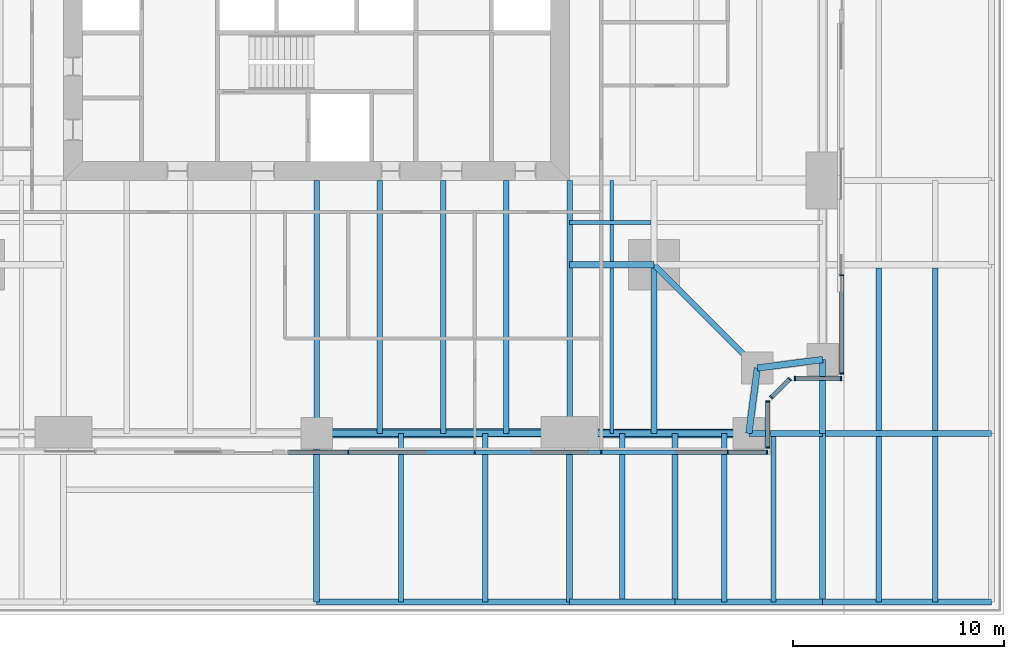
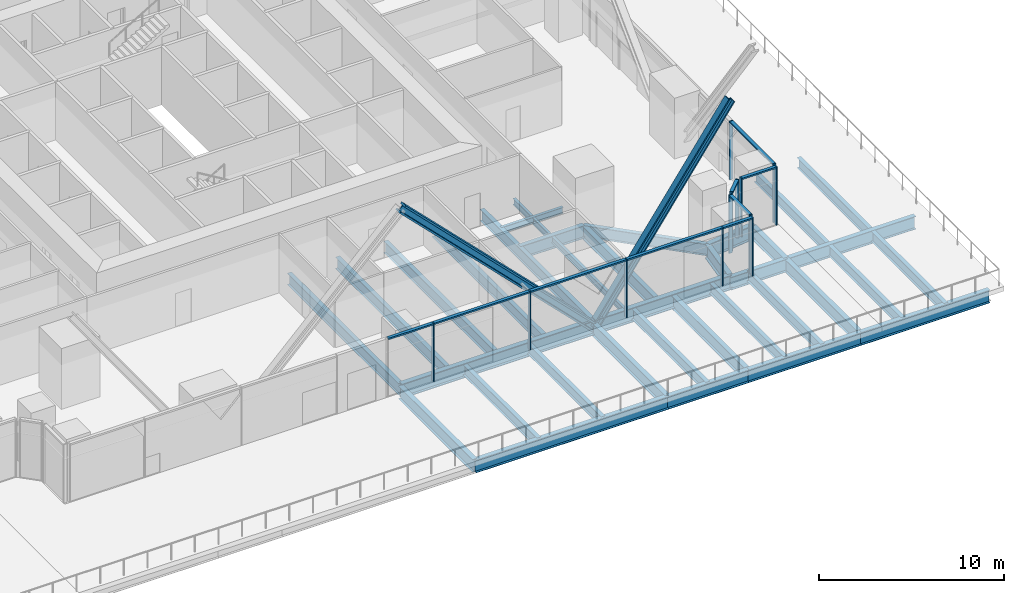
# One storey, part 4 of 21: 36 beams, 24 members, 5 elements without a shape of their own.
"""IFC4 building model written with IfcOpenShell, lengths in metres."""

from ifc_helpers import new_model, si_unit, direction, frame, origin, origin_2d, place, context, subcontext, project, spatial, rectangle, i_section, extrude, material, material_profile, profile_set, type_object, element, aggregate, save


model = new_model("IFC4")

# Units and contexts
model_context = context("Model", 3, precision=1e-05, world=origin(), true_north=direction((0.0, 1.0)))
body_context = subcontext(model_context, "Body", "Model", "MODEL_VIEW")
ifc_project = project(units=[si_unit("LENGTHUNIT", "METRE"), si_unit("AREAUNIT", "SQUARE_METRE"), si_unit("VOLUMEUNIT", "CUBIC_METRE"), si_unit("PLANEANGLEUNIT", "RADIAN"), si_unit("MASSUNIT", "GRAM", prefix="KILO")], contexts=[model_context])

# Site, building, storey
site_placement = place(None, origin())
site = spatial("IfcSite", under=ifc_project, at=site_placement, CompositionType="ELEMENT")
building_placement = place(site_placement, origin())
building = spatial("IfcBuilding", under=site, at=building_placement, Name="Fenwick Lantern Interchange", CompositionType="ELEMENT")
storey_placement = place(building_placement, frame((0.0, 0.0, 31.0)))
storey = spatial("IfcBuildingStorey", under=building, at=storey_placement, Name="L06", CompositionType="ELEMENT", Elevation=31.0)

# Beams
ifc_material_1 = material(Name="Steel ASTM A992 Grade 50", Category="steel")
ifc_material_profile_1 = material_profile(ifc_material_1, i_section(OverallWidth=0.309814453125, OverallDepth=0.949951171875, WebThickness=0.0244140625, FlangeThickness=0.0439453125, at=origin_2d()), Name="W36X256")
ifc_profile_set_1 = profile_set([ifc_material_profile_1], Name="Steel ASTM A992 Grade 50")
beam_type_1 = type_object("IfcBeamType", Name="EDGE BEAM W36X256", PredefinedType="SPANDREL", material=ifc_profile_set_1)
beam_1_placement = place(storey_placement, frame((25.0, 1.0, -0.625), z_axis=(1.0, 0.0, 0.0), x_axis=(0.0, 1.0, 0.0)))
element("IfcBeam", 1, at=beam_1_placement, inside=storey, type_object=beam_type_1, Name="L06/FR/S/EB3", PredefinedType="SPANDREL", context=body_context, shape_type="SweptSolid", body=[
    extrude(i_section(OverallWidth=0.309814453125, OverallDepth=0.949951171875, WebThickness=0.0244140625, FlangeThickness=0.0439453125, at=origin_2d()), origin(), (0.0, 0.0, 1.0), 12.0),
])
beam_2_placement = place(storey_placement, frame((37.0, 1.0, -0.625), z_axis=(1.0, 0.0, 0.0), x_axis=(0.0, 1.0, 0.0)))
element("IfcBeam", 2, at=beam_2_placement, inside=storey, type_object=beam_type_1, Name="L06/FR/S/EB4", PredefinedType="SPANDREL", context=body_context, shape_type="SweptSolid", body=[
    extrude(i_section(OverallWidth=0.309814453125, OverallDepth=0.949951171875, WebThickness=0.0244140625, FlangeThickness=0.0439453125, at=origin_2d()), origin(), (0.0, 0.0, 1.0), 8.5),
])
for number, where, z_axis, x_axis, name in (
    (3, (45.5, 1.0, -0.625), (0.127936641807, 0.991782342897, 0.0), (-0.991782342897, 0.127936641807, 0.0), "L06/FR/S/EBR1"),
    (4, (45.89990234375, 4.10009765625, -0.625), (0.991782342897, 0.127936641807, 0.0), (-0.127936641807, 0.991782342897, 0.0), "L06/FR/S/EBR2"),
):
    element("IfcBeam", number, at=place(storey_placement, frame(where, z_axis=z_axis, x_axis=x_axis)), inside=storey, type_object=beam_type_1, Name=name, PredefinedType="SPANDREL", context=body_context, shape_type="SweptSolid", body=[
        extrude(i_section(OverallWidth=0.309814453125, OverallDepth=0.949951171875, WebThickness=0.0244140625, FlangeThickness=0.0439453125, at=origin_2d()), origin(), (0.0, 0.0, 1.0), 3.125732421875),
    ])

# Members
ifc_material_profile_2 = material_profile(ifc_material_1, i_section(OverallWidth=0.424072265625, OverallDepth=0.47509765625, WebThickness=0.0478515625, FlangeThickness=0.0771484375, at=origin_2d()), Name="W14X426")
ifc_profile_set_2 = profile_set([ifc_material_profile_2], Name="Steel ASTM A992 Grade 50")
member_type_1 = type_object("IfcMemberType", Name="FACADE BRACE W14X426", PredefinedType="BRACE", material=ifc_profile_set_2)
member_1_placement = place(storey_placement, frame((37.0, 1.0, -0.625), z_axis=(0.577407021852, 0.0, 0.816456447776), x_axis=(0.0, 1.0, 0.0)))
element("IfcMember", 5, at=member_1_placement, inside=storey, type_object=member_type_1, Name="L06/FB/S/BE", PredefinedType="BRACE", context=body_context, shape_type="SweptSolid", body=[
    extrude(i_section(OverallWidth=0.424072265625, OverallDepth=0.47509765625, WebThickness=0.0478515625, FlangeThickness=0.0771484375, at=origin_2d()), origin(), (0.0, 0.0, 1.0), 14.720947265625),
])
ifc_material_profile_3 = material_profile(ifc_material_1, i_section(OverallWidth=0.44189453125, OverallDepth=0.53076171875, WebThickness=0.06591796875, FlangeThickness=0.105712890625, at=origin_2d()), Name="W14X605")
ifc_profile_set_3 = profile_set([ifc_material_profile_3], Name="Steel ASTM A992 Grade 50")
member_type_2 = type_object("IfcMemberType", Name="FACADE BRACE W14X605", PredefinedType="BRACE", material=ifc_profile_set_3)
member_2_placement = place(storey_placement, frame((37.0, 1.0, -0.625), z_axis=(-0.706545945103, 0.0, 0.707667172799), x_axis=(0.0, -1.0, 0.0)))
element("IfcMember", 6, at=member_2_placement, inside=storey, type_object=member_type_2, Name="L06/FB/S/B", PredefinedType="BRACE", context=body_context, shape_type="SweptSolid", body=[
    extrude(i_section(OverallWidth=0.44189453125, OverallDepth=0.53076171875, WebThickness=0.06591796875, FlangeThickness=0.105712890625, at=origin_2d()), origin(), (0.0, 0.0, 1.0), 16.984130859375),
])

# Beams
ifc_material_profile_4 = material_profile(ifc_material_1, i_section(OverallWidth=0.2666015625, OverallDepth=0.7568359375, WebThickness=0.013916015625, FlangeThickness=0.019287109375, at=origin_2d()), Name="W30X108")
ifc_profile_set_4 = profile_set([ifc_material_profile_4], Name="Steel ASTM A992 Grade 50")
beam_type_2 = type_object("IfcBeamType", Name="FLOOR BEAM W30X108", PredefinedType="BEAM", material=ifc_profile_set_4)
for number, where, z_axis, x_axis, name in (
    (7, (28.0, 1.0, -0.528564453125), (0.0, 1.0, 0.0), (-1.0, 0.0, 0.0), "L06/FR/S/R06"),
    (8, (31.0, 1.0, -0.528564453125), (0.0, 1.0, 0.0), (-1.0, 0.0, 0.0), "L06/FR/S/R07"),
    (9, (34.0, 1.0, -0.528564453125), (0.0, 1.0, 0.0), (-1.0, 0.0, 0.0), "L06/FR/S/R08"),
):
    element("IfcBeam", number, at=place(storey_placement, frame(where, z_axis=z_axis, x_axis=x_axis)), inside=storey, type_object=beam_type_2, Name=name, PredefinedType="BEAM", context=body_context, shape_type="SweptSolid", body=[
        extrude(i_section(OverallWidth=0.2666015625, OverallDepth=0.7568359375, WebThickness=0.013916015625, FlangeThickness=0.019287109375, at=origin_2d()), origin(), (0.0, 0.0, 1.0), 12.0),
    ])
ifc_material_profile_5 = material_profile(ifc_material_1, i_section(OverallWidth=0.177734375, OverallDepth=0.406494140625, WebThickness=0.0078125, FlangeThickness=0.012939453125, at=origin_2d()), Name="W16X40")
ifc_profile_set_5 = profile_set([ifc_material_profile_5], Name="Steel ASTM A992 Grade 50")
beam_type_3 = type_object("IfcBeamType", Name="INFILL BEAM W16X40", PredefinedType="JOIST", material=ifc_profile_set_5)
beam_3_placement = place(storey_placement, frame((40.85400390625, 11.0, -0.353271484375), z_axis=(-1.0, 0.0, 0.0), x_axis=(0.0, -1.0, 0.0)))
element("IfcBeam", 10, at=beam_3_placement, inside=storey, type_object=beam_type_3, Name="L06/FR/E/J2", PredefinedType="JOIST", context=body_context, shape_type="SweptSolid", body=[
    extrude(i_section(OverallWidth=0.177734375, OverallDepth=0.406494140625, WebThickness=0.0078125, FlangeThickness=0.012939453125, at=origin_2d()), origin(), (0.0, 0.0, 1.0), 3.85400390625),
])
beam_4_placement = place(storey_placement, frame((39.0, 1.0, -0.353271484375), z_axis=(0.0, 1.0, 0.0), x_axis=(-1.0, 0.0, 0.0)))
element("IfcBeam", 11, at=beam_4_placement, inside=storey, type_object=beam_type_3, Name="L06/FR/E/J3", PredefinedType="JOIST", context=body_context, shape_type="SweptSolid", body=[
    extrude(i_section(OverallWidth=0.177734375, OverallDepth=0.406494140625, WebThickness=0.0078125, FlangeThickness=0.012939453125, at=origin_2d()), origin(), (0.0, 0.0, 1.0), 7.85400390625),
])
beam_5_placement = place(storey_placement, frame((39.0, 9.14599609375, -0.353271484375), z_axis=(0.0, 1.0, 0.0), x_axis=(-1.0, 0.0, 0.0)))
element("IfcBeam", 12, at=beam_5_placement, inside=storey, type_object=beam_type_3, Name="L06/FR/E/J4", PredefinedType="JOIST", context=body_context, shape_type="SweptSolid", body=[
    extrude(i_section(OverallWidth=0.177734375, OverallDepth=0.406494140625, WebThickness=0.0078125, FlangeThickness=0.012939453125, at=origin_2d()), origin(), (0.0, 0.0, 1.0), 1.76513671875),
])
beam_6_placement = place(storey_placement, frame((39.0, 11.0888671875, -0.353271484375), z_axis=(0.0, 1.0, 0.0), x_axis=(-1.0, 0.0, 0.0)))
element("IfcBeam", 13, at=beam_6_placement, inside=storey, type_object=beam_type_3, Name="L06/FR/E/J5", PredefinedType="JOIST", context=body_context, shape_type="SweptSolid", body=[
    extrude(i_section(OverallWidth=0.177734375, OverallDepth=0.406494140625, WebThickness=0.0078125, FlangeThickness=0.012939453125, at=origin_2d()), origin(), (0.0, 0.0, 1.0), 1.9111328125),
])
ifc_material_profile_6 = material_profile(ifc_material_1, i_section(OverallWidth=0.2919921875, OverallDepth=0.845703125, WebThickness=0.015380859375, FlangeThickness=0.0244140625, at=origin_2d()), Name="W33X141")
ifc_profile_set_6 = profile_set([ifc_material_profile_6], Name="Steel ASTM A992 Grade 50")
beam_type_4 = type_object("IfcBeamType", Name="MEGA COLUMN BEAM W33X141", PredefinedType="BEAM", material=ifc_profile_set_6)
beam_7_placement = place(storey_placement, frame((41.0, 9.0, -0.572998046875), z_axis=(0.0, -1.0, 0.0), x_axis=(1.0, 0.0, 0.0)))
element("IfcBeam", 14, at=beam_7_placement, inside=storey, type_object=beam_type_4, Name="L06/FR/E/MB2", PredefinedType="BEAM", context=body_context, shape_type="SweptSolid", body=[
    extrude(i_section(OverallWidth=0.2919921875, OverallDepth=0.845703125, WebThickness=0.015380859375, FlangeThickness=0.0244140625, at=origin_2d()), origin(), (0.0, 0.0, 1.0), 8.0),
])
beam_8_placement = place(storey_placement, frame((41.0, 9.0, -0.572998046875), z_axis=(-1.0, 0.0, 0.0), x_axis=(0.0, -1.0, 0.0)))
element("IfcBeam", 15, at=beam_8_placement, inside=storey, type_object=beam_type_4, Name="L06/FR/E/MB4", PredefinedType="BEAM", context=body_context, shape_type="SweptSolid", body=[
    extrude(i_section(OverallWidth=0.2919921875, OverallDepth=0.845703125, WebThickness=0.015380859375, FlangeThickness=0.0244140625, at=origin_2d()), origin(), (0.0, 0.0, 1.0), 4.0),
])
ifc_material_profile_7 = material_profile(ifc_material_1, i_section(OverallWidth=0.2666015625, OverallDepth=0.76953125, WebThickness=0.015625, FlangeThickness=0.025390625, at=origin_2d()), Name="W30X132")
ifc_profile_set_7 = profile_set([ifc_material_profile_7], Name="Steel ASTM A992 Grade 50")
beam_type_5 = type_object("IfcBeamType", Name="MOMENT-CONNECTED GIRDER W30X132", PredefinedType="BEAM", material=ifc_profile_set_7)
for number, where, z_axis, x_axis, name in (
    (16, (25.0, 1.0, -0.534912109375), (0.0, 1.0, 0.0), (-1.0, 0.0, 0.0), "L06/FR/S/R05"),
    (17, (37.0, 1.0, -0.534912109375), (0.0, 1.0, 0.0), (-1.0, 0.0, 0.0), "L06/FR/S/R09"),
):
    element("IfcBeam", number, at=place(storey_placement, frame(where, z_axis=z_axis, x_axis=x_axis)), inside=storey, type_object=beam_type_5, Name=name, PredefinedType="BEAM", context=body_context, shape_type="SweptSolid", body=[
        extrude(i_section(OverallWidth=0.2666015625, OverallDepth=0.76953125, WebThickness=0.015625, FlangeThickness=0.025390625, at=origin_2d()), origin(), (0.0, 0.0, 1.0), 12.0),
    ])
ifc_material_profile_8 = material_profile(ifc_material_1, i_section(OverallWidth=0.2919921875, OverallDepth=0.845703125, WebThickness=0.015380859375, FlangeThickness=0.0244140625, at=origin_2d()), Name="W33X141")
ifc_profile_set_8 = profile_set([ifc_material_profile_8], Name="Steel ASTM A992 Grade 50")
beam_type_6 = type_object("IfcBeamType", Name="MOMENT-CONNECTED PODIUM GIRDER W33X141", PredefinedType="BEAM", material=ifc_profile_set_8)
beam_9_placement = place(storey_placement, frame((25.0, -7.0, -0.722900390625), z_axis=(1.0, 0.0, 0.0), x_axis=(0.0, 1.0, 0.0)))
element("IfcBeam", 18, at=beam_9_placement, inside=storey, type_object=beam_type_6, Name="L06/PF/G005", PredefinedType="BEAM", context=body_context, shape_type="SweptSolid", body=[
    extrude(i_section(OverallWidth=0.2919921875, OverallDepth=0.845703125, WebThickness=0.015380859375, FlangeThickness=0.0244140625, at=origin_2d()), origin(), (0.0, 0.0, 1.0), 12.0),
])
beam_10_placement = place(storey_placement, frame((37.0, -7.0, -0.722900390625), z_axis=(1.0, 0.0, 0.0), x_axis=(0.0, 1.0, 0.0)))
element("IfcBeam", 19, at=beam_10_placement, inside=storey, type_object=beam_type_6, Name="L06/PF/G006", PredefinedType="BEAM", context=body_context, shape_type="SweptSolid", body=[
    extrude(i_section(OverallWidth=0.2919921875, OverallDepth=0.845703125, WebThickness=0.015380859375, FlangeThickness=0.0244140625, at=origin_2d()), origin(), (0.0, 0.0, 1.0), 5.0),
])
beam_11_placement = place(storey_placement, frame((42.0, -7.0, -0.722900390625), z_axis=(1.0, 0.0, 0.0), x_axis=(0.0, 1.0, 0.0)))
element("IfcBeam", 20, at=beam_11_placement, inside=storey, type_object=beam_type_6, Name="L06/PF/G007", PredefinedType="BEAM", context=body_context, shape_type="SweptSolid", body=[
    extrude(i_section(OverallWidth=0.2919921875, OverallDepth=0.845703125, WebThickness=0.015380859375, FlangeThickness=0.0244140625, at=origin_2d()), origin(), (0.0, 0.0, 1.0), 7.0),
])
beam_12_placement = place(storey_placement, frame((49.0, -7.0, -0.722900390625), z_axis=(1.0, 0.0, 0.0), x_axis=(0.0, 1.0, 0.0)))
element("IfcBeam", 21, at=beam_12_placement, inside=storey, type_object=beam_type_6, Name="L06/PF/G008", PredefinedType="BEAM", context=body_context, shape_type="SweptSolid", body=[
    extrude(i_section(OverallWidth=0.2919921875, OverallDepth=0.845703125, WebThickness=0.015380859375, FlangeThickness=0.0244140625, at=origin_2d()), origin(), (0.0, 0.0, 1.0), 8.0),
])
beam_13_placement = place(storey_placement, frame((45.5, 1.0, -0.722900390625), z_axis=(1.0, 0.0, 0.0), x_axis=(0.0, 1.0, 0.0)))
element("IfcBeam", 22, at=beam_13_placement, inside=storey, type_object=beam_type_6, Name="L06/PF/G011", PredefinedType="BEAM", context=body_context, shape_type="SweptSolid", body=[
    extrude(i_section(OverallWidth=0.2919921875, OverallDepth=0.845703125, WebThickness=0.015380859375, FlangeThickness=0.0244140625, at=origin_2d()), origin(), (0.0, 0.0, 1.0), 3.5),
])
for number, where, z_axis, x_axis, name in (
    (23, (49.0, 1.0, -0.722900390625), (1.0, 0.0, 0.0), (0.0, 1.0, 0.0), "L06/PF/G012"),
    (24, (25.0, -7.0, -0.722900390625), (0.0, 1.0, 0.0), (-1.0, 0.0, 0.0), "L06/PF/G063"),
    (25, (37.0, -7.0, -0.722900390625), (0.0, 1.0, 0.0), (-1.0, 0.0, 0.0), "L06/PF/G066"),
    (26, (42.0, -7.0, -0.722900390625), (0.0, 1.0, 0.0), (-1.0, 0.0, 0.0), "L06/PF/G069"),
    (27, (49.0, -7.0, -0.722900390625), (0.0, 1.0, 0.0), (-1.0, 0.0, 0.0), "L06/PF/G072"),
):
    element("IfcBeam", number, at=place(storey_placement, frame(where, z_axis=z_axis, x_axis=x_axis)), inside=storey, type_object=beam_type_6, Name=name, PredefinedType="BEAM", context=body_context, shape_type="SweptSolid", body=[
        extrude(i_section(OverallWidth=0.2919921875, OverallDepth=0.845703125, WebThickness=0.015380859375, FlangeThickness=0.0244140625, at=origin_2d()), origin(), (0.0, 0.0, 1.0), 8.0),
    ])
beam_14_placement = place(storey_placement, frame((49.0, 1.0, -0.722900390625), z_axis=(0.0, 1.0, 0.0), x_axis=(-1.0, 0.0, 0.0)))
element("IfcBeam", 28, at=beam_14_placement, inside=storey, type_object=beam_type_6, Name="L06/PF/G073", PredefinedType="BEAM", context=body_context, shape_type="SweptSolid", body=[
    extrude(i_section(OverallWidth=0.2919921875, OverallDepth=0.845703125, WebThickness=0.015380859375, FlangeThickness=0.0244140625, at=origin_2d()), origin(), (0.0, 0.0, 1.0), 3.5),
])
ifc_material_profile_9 = material_profile(ifc_material_1, i_section(OverallWidth=0.2666015625, OverallDepth=0.7568359375, WebThickness=0.013916015625, FlangeThickness=0.019287109375, at=origin_2d()), Name="W30X108")
ifc_profile_set_9 = profile_set([ifc_material_profile_9], Name="Steel ASTM A992 Grade 50")
beam_type_7 = type_object("IfcBeamType", Name="NOTCH BEAM W30X108", PredefinedType="BEAM", material=ifc_profile_set_9)
beam_15_placement = place(storey_placement, frame((41.0, 9.0, -0.528564453125), z_axis=(0.707106781187, -0.707106781187, 0.0), x_axis=(0.707106781187, 0.707106781187, 0.0)))
element("IfcBeam", 29, at=beam_15_placement, inside=storey, type_object=beam_type_7, Name="L06/FR/E/TG", PredefinedType="BEAM", context=body_context, shape_type="SweptSolid", body=[
    extrude(i_section(OverallWidth=0.2666015625, OverallDepth=0.7568359375, WebThickness=0.013916015625, FlangeThickness=0.019287109375, at=origin_2d()), origin(), (0.0, 0.0, 1.0), 6.929443359375),
])

# Curtain wall, members
ifc_material_2 = material(Name="Aluminium curtain wall frame", Category="aluminium")
curtain_wall_type = type_object("IfcCurtainWallType", Name="OFFICE CURTAIN WALL", PredefinedType="USERDEFINED", material=ifc_material_2)
curtain_wall_1_placement = place(storey_placement, origin())
curtain_wall_1 = element("IfcCurtainWall", 30, at=curtain_wall_1_placement, inside=storey, type_object=curtain_wall_type, Name="Office curtain wall 01B", ObjectType="OFFICE CURTAIN WALL", PredefinedType="USERDEFINED")
ifc_material_3 = material(Name="Aluminium extrusion", Category="aluminium")
ifc_material_profile_10 = material_profile(ifc_material_3, rectangle(XDim=0.199951171875, YDim=0.06494140625, at=origin_2d()), Name="OFFICE CURTAIN WALL MULLION 65 X 200")
ifc_profile_set_10 = profile_set([ifc_material_profile_10], Name="Aluminium extrusion")
member_type_3 = type_object("IfcMemberType", Name="OFFICE CURTAIN WALL MULLION 65 X 200", PredefinedType="MULLION", material=ifc_profile_set_10)
member_3_placement = place(storey_placement, frame((26.5, 0.10009765625, 0.0), z_axis=(0.0, 0.0, 1.0), x_axis=(0.0, 1.0, 0.0)))
member_3 = element("IfcMember", 31, at=member_3_placement, type_object=member_type_3, Name="L06/CW/01B/M01", PredefinedType="MULLION", context=body_context, shape_type="SweptSolid", body=[
    extrude(rectangle(XDim=0.199951171875, YDim=0.06494140625, at=origin_2d()), origin(), (0.0, 0.0, 1.0), 3.85009765625),
])
member_4_placement = place(storey_placement, frame((32.5, 0.10009765625, 0.0), z_axis=(0.0, 0.0, 1.0), x_axis=(0.0, 1.0, 0.0)))
member_4 = element("IfcMember", 32, at=member_4_placement, type_object=member_type_3, Name="L06/CW/01B/M02", PredefinedType="MULLION", context=body_context, shape_type="SweptSolid", body=[
    extrude(rectangle(XDim=0.199951171875, YDim=0.06494140625, at=origin_2d()), origin(), (0.0, 0.0, 1.0), 3.85009765625),
])
member_5_placement = place(storey_placement, frame((38.5, 0.10009765625, 0.0), z_axis=(0.0, 0.0, 1.0), x_axis=(0.0, 1.0, 0.0)))
member_5 = element("IfcMember", 33, at=member_5_placement, type_object=member_type_3, Name="L06/CW/01B/M03", PredefinedType="MULLION", context=body_context, shape_type="SweptSolid", body=[
    extrude(rectangle(XDim=0.199951171875, YDim=0.06494140625, at=origin_2d()), origin(), (0.0, 0.0, 1.0), 3.85009765625),
])
member_6_placement = place(storey_placement, frame((44.5, 0.10009765625, 0.0), z_axis=(0.0, 0.0, 1.0), x_axis=(0.0, 1.0, 0.0)))
member_6 = element("IfcMember", 34, at=member_6_placement, type_object=member_type_3, Name="L06/CW/01B/M04", PredefinedType="MULLION", context=body_context, shape_type="SweptSolid", body=[
    extrude(rectangle(XDim=0.199951171875, YDim=0.06494140625, at=origin_2d()), origin(), (0.0, 0.0, 1.0), 3.85009765625),
])
member_7_placement = place(storey_placement, frame((46.367431640625, 0.10009765625, 0.0), z_axis=(0.0, 0.0, 1.0), x_axis=(0.0, 1.0, 0.0)))
member_7 = element("IfcMember", 35, at=member_7_placement, type_object=member_type_3, Name="L06/CW/01B/M05", PredefinedType="MULLION", context=body_context, shape_type="SweptSolid", body=[
    extrude(rectangle(XDim=0.199951171875, YDim=0.06494140625, at=origin_2d()), origin(), (0.0, 0.0, 1.0), 3.85009765625),
])

curtain_wall_2_placement = place(storey_placement, origin())
curtain_wall_2 = element("IfcCurtainWall", 36, at=curtain_wall_2_placement, inside=storey, type_object=curtain_wall_type, Name="Office curtain wall 02", ObjectType="OFFICE CURTAIN WALL", PredefinedType="USERDEFINED")
member_8_placement = place(storey_placement, frame((46.39990234375, 0.33251953125, 0.0), z_axis=(0.0, 0.0, 1.0), x_axis=(-1.0, 0.0, 0.0)))
member_8 = element("IfcMember", 37, at=member_8_placement, type_object=member_type_3, Name="L06/CW/02/M00", PredefinedType="MULLION", context=body_context, shape_type="SweptSolid", body=[
    extrude(rectangle(XDim=0.199951171875, YDim=0.06494140625, at=origin_2d()), origin(), (0.0, 0.0, 1.0), 3.85009765625),
])
member_9_placement = place(storey_placement, frame((46.39990234375, 2.509033203125, 0.0), z_axis=(0.0, 0.0, 1.0), x_axis=(-1.0, 0.0, 0.0)))
member_9 = element("IfcMember", 38, at=member_9_placement, type_object=member_type_3, Name="L06/CW/02/M01", PredefinedType="MULLION", context=body_context, shape_type="SweptSolid", body=[
    extrude(rectangle(XDim=0.199951171875, YDim=0.06494140625, at=origin_2d()), origin(), (0.0, 0.0, 1.0), 3.85009765625),
])

curtain_wall_3_placement = place(storey_placement, origin())
curtain_wall_3 = element("IfcCurtainWall", 39, at=curtain_wall_3_placement, inside=storey, type_object=curtain_wall_type, Name="Office curtain wall 03", ObjectType="OFFICE CURTAIN WALL", PredefinedType="USERDEFINED")
member_10_placement = place(storey_placement, frame((46.564453125, 2.705810546875, 0.0), z_axis=(0.0, 0.0, 1.0), x_axis=(-0.707106781187, 0.707106781187, 0.0)))
member_10 = element("IfcMember", 40, at=member_10_placement, type_object=member_type_3, Name="L06/CW/03/M00", PredefinedType="MULLION", context=body_context, shape_type="SweptSolid", body=[
    extrude(rectangle(XDim=0.199951171875, YDim=0.06494140625, at=origin_2d()), origin(), (0.0, 0.0, 1.0), 3.85009765625),
])
member_11_placement = place(storey_placement, frame((47.435546875, 3.576904296875, 0.0), z_axis=(0.0, 0.0, 1.0), x_axis=(-0.707106781187, 0.707106781187, 0.0)))
member_11 = element("IfcMember", 41, at=member_11_placement, type_object=member_type_3, Name="L06/CW/03/M01", PredefinedType="MULLION", context=body_context, shape_type="SweptSolid", body=[
    extrude(rectangle(XDim=0.199951171875, YDim=0.06494140625, at=origin_2d()), origin(), (0.0, 0.0, 1.0), 3.85009765625),
])

curtain_wall_4_placement = place(storey_placement, origin())
curtain_wall_4 = element("IfcCurtainWall", 42, at=curtain_wall_4_placement, inside=storey, type_object=curtain_wall_type, Name="Office curtain wall 04", ObjectType="OFFICE CURTAIN WALL", PredefinedType="USERDEFINED")
member_12_placement = place(storey_placement, frame((47.691162109375, 3.60009765625, 0.0), z_axis=(0.0, 0.0, 1.0), x_axis=(0.0, 1.0, 0.0)))
member_12 = element("IfcMember", 43, at=member_12_placement, type_object=member_type_3, Name="L06/CW/04/M00", PredefinedType="MULLION", context=body_context, shape_type="SweptSolid", body=[
    extrude(rectangle(XDim=0.199951171875, YDim=0.06494140625, at=origin_2d()), origin(), (0.0, 0.0, 1.0), 3.85009765625),
])
member_13_placement = place(storey_placement, frame((49.867431640625, 3.60009765625, 0.0), z_axis=(0.0, 0.0, 1.0), x_axis=(0.0, 1.0, 0.0)))
member_13 = element("IfcMember", 44, at=member_13_placement, type_object=member_type_3, Name="L06/CW/04/M01", PredefinedType="MULLION", context=body_context, shape_type="SweptSolid", body=[
    extrude(rectangle(XDim=0.199951171875, YDim=0.06494140625, at=origin_2d()), origin(), (0.0, 0.0, 1.0), 3.85009765625),
])

curtain_wall_5_placement = place(storey_placement, origin())
curtain_wall_5 = element("IfcCurtainWall", 45, at=curtain_wall_5_placement, inside=storey, type_object=curtain_wall_type, Name="Office curtain wall 05A", ObjectType="OFFICE CURTAIN WALL", PredefinedType="USERDEFINED")
member_14_placement = place(storey_placement, frame((49.89990234375, 3.83251953125, 0.0), z_axis=(0.0, 0.0, 1.0), x_axis=(-1.0, 0.0, 0.0)))
member_14 = element("IfcMember", 46, at=member_14_placement, type_object=member_type_3, Name="L06/CW/05A/M00", PredefinedType="MULLION", context=body_context, shape_type="SweptSolid", body=[
    extrude(rectangle(XDim=0.199951171875, YDim=0.06494140625, at=origin_2d()), origin(), (0.0, 0.0, 1.0), 3.85009765625),
])
member_15_placement = place(storey_placement, frame((49.89990234375, 8.5, 0.0), z_axis=(0.0, 0.0, 1.0), x_axis=(-1.0, 0.0, 0.0)))
member_15 = element("IfcMember", 47, at=member_15_placement, type_object=member_type_3, Name="L06/CW/05A/M01", PredefinedType="MULLION", context=body_context, shape_type="SweptSolid", body=[
    extrude(rectangle(XDim=0.199951171875, YDim=0.06494140625, at=origin_2d()), origin(), (0.0, 0.0, 1.0), 3.85009765625),
])

# Member
ifc_material_profile_11 = material_profile(ifc_material_3, rectangle(XDim=0.199951171875, YDim=0.10009765625, at=origin_2d()), Name="OFFICE CURTAIN WALL TRANSOM 100 X 200")
ifc_profile_set_11 = profile_set([ifc_material_profile_11], Name="Aluminium extrusion")
member_type_4 = type_object("IfcMemberType", Name="OFFICE CURTAIN WALL TRANSOM 100 X 200", PredefinedType="MULLION", material=ifc_profile_set_11)
member_16_placement = place(storey_placement, frame((23.6650390625, 0.10009765625, 3.800048828125), z_axis=(1.0, 0.0, 0.0), x_axis=(0.0, 1.0, 0.0)))
member_16 = element("IfcMember", 48, at=member_16_placement, type_object=member_type_4, Name="L06/CW/01B/T00", PredefinedType="MULLION", context=body_context, shape_type="SweptSolid", body=[
    extrude(rectangle(XDim=0.199951171875, YDim=0.10009765625, at=origin_2d()), origin(), (0.0, 0.0, 1.0), 2.802490234375),
])

member_17_placement = place(storey_placement, frame((26.532470703125, 0.10009765625, 3.800048828125), z_axis=(1.0, 0.0, 0.0), x_axis=(0.0, 1.0, 0.0)))
member_17 = element("IfcMember", 49, at=member_17_placement, type_object=member_type_4, Name="L06/CW/01B/T01", PredefinedType="MULLION", context=body_context, shape_type="SweptSolid", body=[
    extrude(rectangle(XDim=0.199951171875, YDim=0.10009765625, at=origin_2d()), origin(), (0.0, 0.0, 1.0), 5.93505859375),
])

member_18_placement = place(storey_placement, frame((32.532470703125, 0.10009765625, 3.800048828125), z_axis=(1.0, 0.0, 0.0), x_axis=(0.0, 1.0, 0.0)))
member_18 = element("IfcMember", 50, at=member_18_placement, type_object=member_type_4, Name="L06/CW/01B/T02", PredefinedType="MULLION", context=body_context, shape_type="SweptSolid", body=[
    extrude(rectangle(XDim=0.199951171875, YDim=0.10009765625, at=origin_2d()), origin(), (0.0, 0.0, 1.0), 5.93505859375),
])

member_19_placement = place(storey_placement, frame((38.532470703125, 0.10009765625, 3.800048828125), z_axis=(1.0, 0.0, 0.0), x_axis=(0.0, 1.0, 0.0)))
member_19 = element("IfcMember", 51, at=member_19_placement, type_object=member_type_4, Name="L06/CW/01B/T03", PredefinedType="MULLION", context=body_context, shape_type="SweptSolid", body=[
    extrude(rectangle(XDim=0.199951171875, YDim=0.10009765625, at=origin_2d()), origin(), (0.0, 0.0, 1.0), 5.93505859375),
])

member_20_placement = place(storey_placement, frame((44.532470703125, 0.10009765625, 3.800048828125), z_axis=(1.0, 0.0, 0.0), x_axis=(0.0, 1.0, 0.0)))
member_20 = element("IfcMember", 52, at=member_20_placement, type_object=member_type_4, Name="L06/CW/01B/T04", PredefinedType="MULLION", context=body_context, shape_type="SweptSolid", body=[
    extrude(rectangle(XDim=0.199951171875, YDim=0.10009765625, at=origin_2d()), origin(), (0.0, 0.0, 1.0), 1.802490234375),
])

aggregate(curtain_wall_1, [member_3, member_4, member_5, member_6, member_7, member_16, member_17, member_18, member_19, member_20])

member_21_placement = place(storey_placement, frame((46.39990234375, 0.364990234375, 3.800048828125), z_axis=(0.0, 1.0, 0.0), x_axis=(-1.0, 0.0, 0.0)))
member_21 = element("IfcMember", 53, at=member_21_placement, type_object=member_type_4, Name="L06/CW/02/T00", PredefinedType="MULLION", context=body_context, shape_type="SweptSolid", body=[
    extrude(rectangle(XDim=0.199951171875, YDim=0.10009765625, at=origin_2d()), origin(), (0.0, 0.0, 1.0), 2.111328125),
])

aggregate(curtain_wall_2, [member_8, member_9, member_21])

member_22_placement = place(storey_placement, frame((46.58740234375, 2.728759765625, 3.800048828125), z_axis=(0.707106781187, 0.707106781187, 0.0), x_axis=(-0.707106781187, 0.707106781187, 0.0)))
member_22 = element("IfcMember", 54, at=member_22_placement, type_object=member_type_4, Name="L06/CW/03/T00", PredefinedType="MULLION", context=body_context, shape_type="SweptSolid", body=[
    extrude(rectangle(XDim=0.199951171875, YDim=0.10009765625, at=origin_2d()), origin(), (0.0, 0.0, 1.0), 1.1669921875),
])

aggregate(curtain_wall_3, [member_10, member_11, member_22])

member_23_placement = place(storey_placement, frame((47.7236328125, 3.60009765625, 3.800048828125), z_axis=(1.0, 0.0, 0.0), x_axis=(0.0, 1.0, 0.0)))
member_23 = element("IfcMember", 55, at=member_23_placement, type_object=member_type_4, Name="L06/CW/04/T00", PredefinedType="MULLION", context=body_context, shape_type="SweptSolid", body=[
    extrude(rectangle(XDim=0.199951171875, YDim=0.10009765625, at=origin_2d()), origin(), (0.0, 0.0, 1.0), 2.111328125),
])

aggregate(curtain_wall_4, [member_12, member_13, member_23])

member_24_placement = place(storey_placement, frame((49.89990234375, 3.864990234375, 3.800048828125), z_axis=(0.0, 1.0, 0.0), x_axis=(-1.0, 0.0, 0.0)))
member_24 = element("IfcMember", 56, at=member_24_placement, type_object=member_type_4, Name="L06/CW/05A/T00", PredefinedType="MULLION", context=body_context, shape_type="SweptSolid", body=[
    extrude(rectangle(XDim=0.199951171875, YDim=0.10009765625, at=origin_2d()), origin(), (0.0, 0.0, 1.0), 4.6025390625),
])

aggregate(curtain_wall_5, [member_14, member_15, member_24])

# Beams
ifc_material_profile_12 = material_profile(ifc_material_1, i_section(OverallWidth=0.25390625, OverallDepth=0.683349609375, WebThickness=0.012451171875, FlangeThickness=0.01904296875, at=origin_2d()), Name="W27X94")
ifc_profile_set_12 = profile_set([ifc_material_profile_12], Name="Steel ASTM A992 Grade 50")
beam_type_8 = type_object("IfcBeamType", Name="PODIUM BEAM W27X94", PredefinedType="JOIST", material=ifc_profile_set_12)
for number, where, z_axis, x_axis, name in (
    (57, (29.0, -7.0, -0.6416015625), (0.0, 1.0, 0.0), (-1.0, 0.0, 0.0), "L06/PF/J115"),
    (58, (33.0, -7.0, -0.6416015625), (0.0, 1.0, 0.0), (-1.0, 0.0, 0.0), "L06/PF/J116"),
    (59, (39.5, -7.0, -0.6416015625), (0.0, 1.0, 0.0), (-1.0, 0.0, 0.0), "L06/PF/J121"),
    (60, (44.333251953125, -7.0, -0.6416015625), (0.0, 1.0, 0.0), (-1.0, 0.0, 0.0), "L06/PF/J124"),
    (61, (46.666748046875, -7.0, -0.6416015625), (0.0, 1.0, 0.0), (-1.0, 0.0, 0.0), "L06/PF/J125"),
):
    element("IfcBeam", number, at=place(storey_placement, frame(where, z_axis=z_axis, x_axis=x_axis)), inside=storey, type_object=beam_type_8, Name=name, PredefinedType="JOIST", context=body_context, shape_type="SweptSolid", body=[
        extrude(i_section(OverallWidth=0.25390625, OverallDepth=0.683349609375, WebThickness=0.012451171875, FlangeThickness=0.01904296875, at=origin_2d()), origin(), (0.0, 0.0, 1.0), 8.0),
    ])
for number, where, z_axis, x_axis, name in (
    (62, (51.666748046875, -7.0, -0.6416015625), (0.0, 1.0, 0.0), (-1.0, 0.0, 0.0), "L06/PF/J130"),
    (63, (54.333251953125, -7.0, -0.6416015625), (0.0, 1.0, 0.0), (-1.0, 0.0, 0.0), "L06/PF/J131"),
):
    element("IfcBeam", number, at=place(storey_placement, frame(where, z_axis=z_axis, x_axis=x_axis)), inside=storey, type_object=beam_type_8, Name=name, PredefinedType="JOIST", context=body_context, shape_type="SweptSolid", body=[
        extrude(i_section(OverallWidth=0.25390625, OverallDepth=0.683349609375, WebThickness=0.012451171875, FlangeThickness=0.01904296875, at=origin_2d()), origin(), (0.0, 0.0, 1.0), 7.85400390625),
    ])
for number, where, z_axis, x_axis, name in (
    (64, (51.666748046875, 1.14599609375, -0.6416015625), (0.0, 1.0, 0.0), (-1.0, 0.0, 0.0), "L06/PF/J132"),
    (65, (54.333251953125, 1.14599609375, -0.6416015625), (0.0, 1.0, 0.0), (-1.0, 0.0, 0.0), "L06/PF/J133"),
):
    element("IfcBeam", number, at=place(storey_placement, frame(where, z_axis=z_axis, x_axis=x_axis)), inside=storey, type_object=beam_type_8, Name=name, PredefinedType="JOIST", context=body_context, shape_type="SweptSolid", body=[
        extrude(i_section(OverallWidth=0.25390625, OverallDepth=0.683349609375, WebThickness=0.012451171875, FlangeThickness=0.01904296875, at=origin_2d()), origin(), (0.0, 0.0, 1.0), 7.7080078125),
    ])

save(model, "model.ifc")
